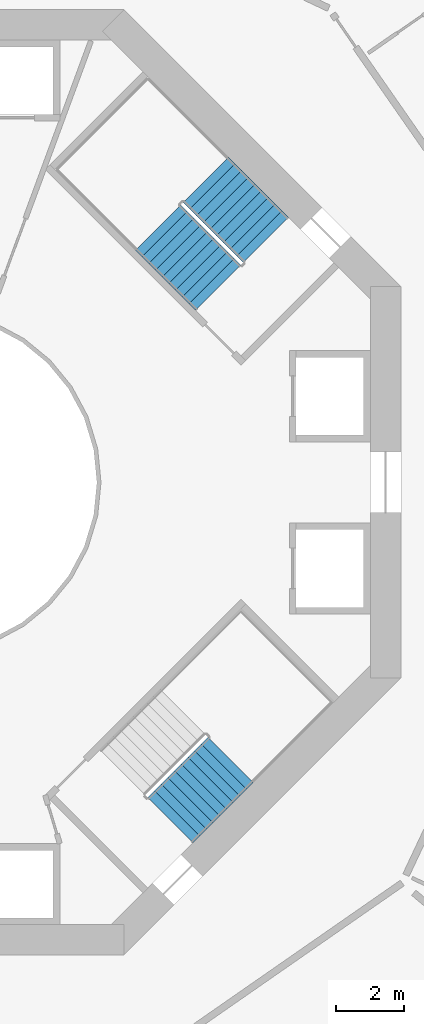
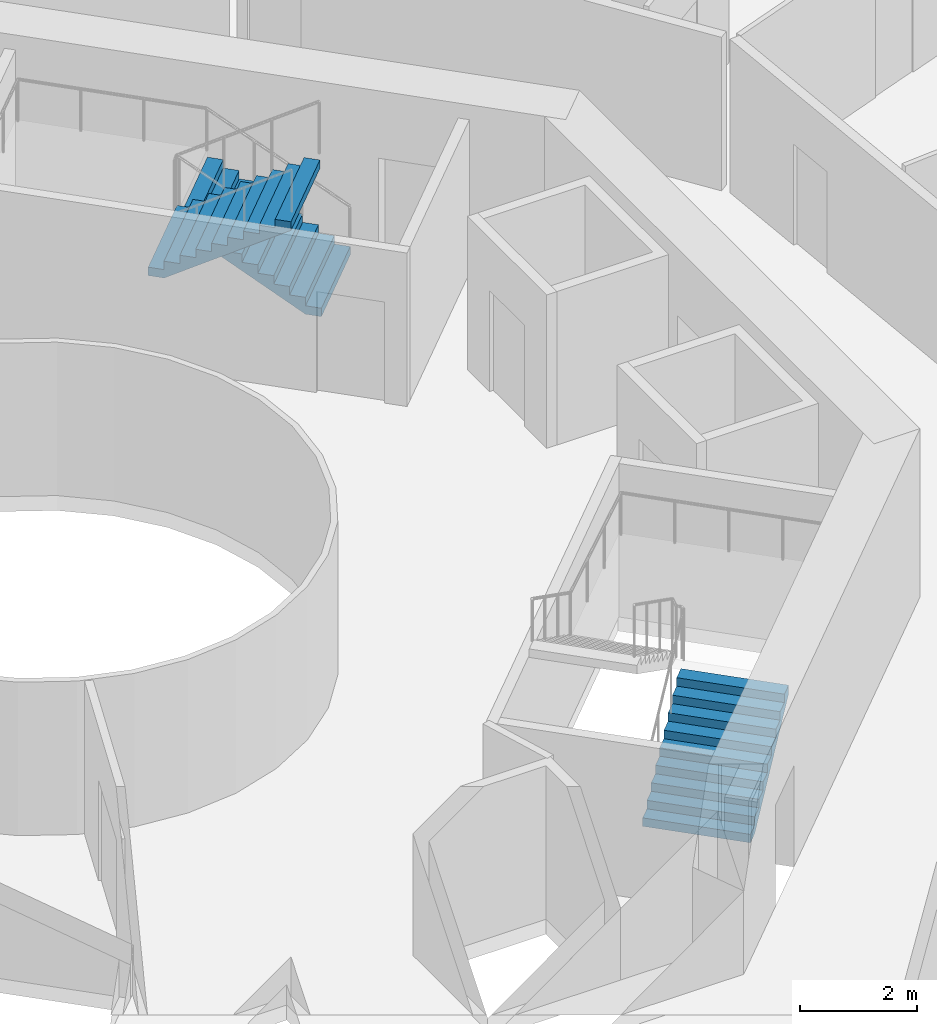
# One storey, part 25 of 26: 3 stair flights, 2 elements without a shape of their own.
"""IFC4 building model written with IfcOpenShell, lengths in metres."""

from ifc_helpers import new_model, si_unit, direction, frame, origin, place, context, subcontext, project, spatial, triangles, material, type_object, element, aggregate, save


model = new_model("IFC4")

# Units and contexts
model_context = context("Model", 3, precision=1e-05, world=origin(), true_north=direction((0.0, 1.0)))
body_context = subcontext(model_context, "Body", "Model", "MODEL_VIEW")
ifc_project = project(units=[si_unit("LENGTHUNIT", "METRE"), si_unit("AREAUNIT", "SQUARE_METRE"), si_unit("VOLUMEUNIT", "CUBIC_METRE"), si_unit("PLANEANGLEUNIT", "RADIAN"), si_unit("MASSUNIT", "GRAM", prefix="KILO")], contexts=[model_context])

# Site, building, storey
site_placement = place(None, origin())
site = spatial("IfcSite", under=ifc_project, at=site_placement, CompositionType="ELEMENT")
building_placement = place(site_placement, origin())
building = spatial("IfcBuilding", under=site, at=building_placement, Name="Verdalira Terraces Hotel", CompositionType="ELEMENT")
storey_placement = place(building_placement, frame((0.0, 0.0, 53.0)))
storey = spatial("IfcBuildingStorey", under=building, at=storey_placement, Name="L11", CompositionType="ELEMENT", Elevation=53.0)

# Stair, stair flights
ifc_material_1 = material(Name="Concrete C40", Category="concrete")
stair_type = type_object("IfcStairType", Name="Core stair 20 risers 1900 mm wide", PredefinedType="HALF_TURN_STAIR", material=ifc_material_1)
stair_1_placement = place(storey_placement, origin())
stair_1 = element("IfcStair", 1, at=stair_1_placement, inside=storey, type_object=stair_type, Name="L11 Exit stair ST1", PredefinedType="HALF_TURN_STAIR")
ifc_material_2 = material(Name="Concrete C40", Category="concrete")
stair_flight_type = type_object("IfcStairFlightType", Name="Core stair flight 20 risers 1900 mm wide", PredefinedType="STRAIGHT", material=ifc_material_2)
stair_flight_1_placement = place(storey_placement, frame((10.005615, 7.177246, 0.0), z_axis=(0.0, 0.0, 1.0), x_axis=(-0.707106781, 0.707106781, 0.0)))
stair_flight_1 = element("IfcStairFlight", 2, at=stair_flight_1_placement, type_object=stair_flight_type, Name="ST1 flight 1", NumberOfRisers=10, NumberOfTreads=9, PredefinedType="STRAIGHT", RiserHeight=0.175, TreadLength=0.28, context=body_context, shape_type="Tessellation", body=[
    triangles([(0.0, 0.949951, 0.0), (0.282715, 0.949951, 0.0), (2.52002, 0.949951, 1.398193), (0.0, -0.949951, 0.0), (0.282715, -0.949951, 0.0), (2.52002, -0.949951, 1.398193), (2.52002, 0.949951, 1.574951), (2.23999, 0.949951, 1.574951), (2.52002, -0.949951, 1.574951), (2.23999, -0.949951, 1.574951), (2.23999, 0.949951, 1.399902), (2.23999, -0.949951, 1.399902), (1.959961, 0.949951, 1.399902), (1.959961, -0.949951, 1.399902), (1.959961, 0.949951, 1.225098), (1.959961, -0.949951, 1.225098), (1.679932, 0.949951, 1.225098), (1.679932, 0.949951, 1.050049), (1.679932, -0.949951, 1.225098), (1.679932, -0.949951, 1.050049), (1.399902, 0.949951, 1.050049), (1.399902, 0.949951, 0.875), (1.399902, -0.949951, 1.050049), (1.399902, -0.949951, 0.875), (1.120117, 0.949951, 0.875), (1.120117, 0.949951, 0.699951), (1.120117, -0.949951, 0.875), (1.120117, -0.949951, 0.699951), (0.840088, 0.949951, 0.699951), (0.840088, 0.949951, 0.524902), (0.840088, -0.949951, 0.699951), (0.840088, -0.949951, 0.524902), (0.560059, 0.949951, 0.524902), (0.560059, 0.949951, 0.350098), (0.560059, -0.949951, 0.524902), (0.560059, -0.949951, 0.350098), (0.280029, 0.949951, 0.350098), (0.280029, 0.949951, 0.175049), (0.280029, -0.949951, 0.350098), (0.280029, -0.949951, 0.175049), (0.0, 0.949951, 0.175049), (0.0, -0.949951, 0.175049), (0.0, -0.890579, 0.0), (0.0, -0.890579, 0.175049), (0.0, -0.831207, 0.0), (0.0, -0.831207, 0.175049), (0.0, -0.771835, 0.0), (0.0, -0.771835, 0.175049), (0.0, -0.712463, 0.0), (0.0, -0.712463, 0.175049), (0.0, -0.653091, 0.0), (0.0, -0.653091, 0.175049), (0.0, -0.593719, 0.0), (0.0, -0.593719, 0.175049), (0.0, -0.534348, 0.0), (0.0, -0.534348, 0.175049), (0.0, -0.474976, 0.0), (0.0, -0.474976, 0.175049), (0.0, -0.415604, 0.0), (0.0, -0.415604, 0.175049), (0.0, -0.356232, 0.0), (0.0, -0.356232, 0.175049), (0.0, -0.29686, 0.0), (0.0, -0.29686, 0.175049), (0.0, -0.237488, 0.0), (0.0, -0.237488, 0.175049), (0.0, -0.178116, 0.0), (0.0, -0.178116, 0.175049), (0.0, -0.118744, 0.0), (0.0, -0.118744, 0.175049), (0.0, -0.059372, 0.0), (0.0, -0.059372, 0.175049), (0.0, 0.0, 0.0), (0.0, 0.0, 0.175049), (0.0, 0.059372, 0.0), (0.0, 0.059372, 0.175049), (0.0, 0.118744, 0.0), (0.0, 0.118744, 0.175049), (0.0, 0.178116, 0.0), (0.0, 0.178116, 0.175049), (0.0, 0.237488, 0.0), (0.0, 0.237488, 0.175049), (0.0, 0.29686, 0.0), (0.0, 0.29686, 0.175049), (0.0, 0.356232, 0.0), (0.0, 0.356232, 0.175049), (0.0, 0.415604, 0.0), (0.0, 0.415604, 0.175049), (0.0, 0.474976, 0.0), (0.0, 0.474976, 0.175049), (0.0, 0.534348, 0.0), (0.0, 0.534348, 0.175049), (0.0, 0.593719, 0.0), (0.0, 0.593719, 0.175049), (0.0, 0.653091, 0.0), (0.0, 0.653091, 0.175049), (0.0, 0.712463, 0.0), (0.0, 0.712463, 0.175049), (0.0, 0.771835, 0.0), (0.0, 0.771835, 0.175049), (0.0, 0.831207, 0.0), (0.0, 0.831207, 0.175049), (0.0, 0.890579, 0.0), (0.0, 0.890579, 0.175049), (2.52002, -0.890579, 1.574951), (2.52002, -0.831207, 1.574951), (2.52002, -0.771835, 1.574951), (2.52002, -0.712463, 1.574951), (2.52002, -0.653091, 1.574951), (2.52002, -0.593719, 1.574951), (2.52002, -0.534348, 1.574951), (2.52002, -0.474976, 1.574951), (2.52002, -0.415604, 1.574951), (2.52002, -0.356232, 1.574951), (2.52002, -0.29686, 1.574951), (2.52002, -0.237488, 1.574951), (2.52002, -0.178116, 1.574951), (2.52002, -0.118744, 1.574951), (2.52002, -0.059372, 1.574951), (2.52002, 0.0, 1.574951), (2.52002, 0.059372, 1.574951), (2.52002, 0.118744, 1.574951), (2.52002, 0.178116, 1.574951), (2.52002, 0.237488, 1.574951), (2.52002, 0.29686, 1.574951), (2.52002, 0.356232, 1.574951), (2.52002, 0.415604, 1.574951), (2.52002, 0.474976, 1.574951), (2.52002, 0.534348, 1.574951), (2.52002, 0.593719, 1.574951), (2.52002, 0.653091, 1.574951), (2.52002, 0.712463, 1.574951), (2.52002, 0.771835, 1.574951), (2.52002, 0.831207, 1.574951), (2.52002, 0.890579, 1.574951), (2.52002, -0.890579, 1.398193), (2.52002, -0.831207, 1.398193), (2.52002, -0.771835, 1.398193), (2.52002, -0.712463, 1.398193), (2.52002, -0.653091, 1.398193), (2.52002, -0.593719, 1.398193), (2.52002, -0.534348, 1.398193), (2.52002, -0.474976, 1.398193), (2.52002, -0.415604, 1.398193), (2.52002, -0.356232, 1.398193), (2.52002, -0.29686, 1.398193), (2.52002, -0.237488, 1.398193), (2.52002, -0.178116, 1.398193), (2.52002, -0.118744, 1.398193), (2.52002, -0.059372, 1.398193), (2.52002, 0.0, 1.398193), (2.52002, 0.059372, 1.398193), (2.52002, 0.118744, 1.398193), (2.52002, 0.178116, 1.398193), (2.52002, 0.237488, 1.398193), (2.52002, 0.29686, 1.398193), (2.52002, 0.356232, 1.398193), (2.52002, 0.415604, 1.398193), (2.52002, 0.474976, 1.398193), (2.52002, 0.534348, 1.398193), (2.52002, 0.593719, 1.398193), (2.52002, 0.653091, 1.398193), (2.52002, 0.712463, 1.398193), (2.52002, 0.771835, 1.398193), (2.52002, 0.831207, 1.398193), (2.52002, 0.890579, 1.398193)], [[1, 3, 2], [4, 5, 6], [3, 8, 7], [6, 9, 10], [3, 11, 8], [6, 10, 12], [3, 13, 11], [6, 12, 14], [3, 15, 13], [6, 14, 16], [15, 18, 17], [16, 19, 20], [3, 18, 15], [6, 16, 20], [18, 22, 21], [20, 23, 24], [3, 22, 18], [6, 20, 24], [22, 26, 25], [24, 27, 28], [3, 26, 22], [6, 24, 28], [26, 30, 29], [28, 31, 32], [3, 30, 26], [6, 28, 32], [1, 30, 3], [4, 6, 32], [30, 34, 33], [32, 35, 36], [34, 38, 37], [36, 39, 40], [30, 38, 34], [32, 36, 40], [1, 38, 30], [4, 32, 40], [38, 1, 41], [40, 42, 4], [4, 44, 43], [4, 42, 44], [43, 46, 45], [43, 44, 46], [45, 48, 47], [45, 46, 48], [47, 50, 49], [47, 48, 50], [49, 52, 51], [49, 50, 52], [51, 54, 53], [51, 52, 54], [53, 56, 55], [53, 54, 56], [55, 58, 57], [55, 56, 58], [57, 60, 59], [57, 58, 60], [59, 62, 61], [59, 60, 62], [61, 64, 63], [61, 62, 64], [63, 66, 65], [63, 64, 66], [65, 68, 67], [65, 66, 68], [67, 70, 69], [67, 68, 70], [69, 72, 71], [69, 70, 72], [71, 74, 73], [71, 72, 74], [73, 76, 75], [73, 74, 76], [75, 78, 77], [75, 76, 78], [77, 80, 79], [77, 78, 80], [79, 82, 81], [79, 80, 82], [81, 84, 83], [81, 82, 84], [83, 86, 85], [83, 84, 86], [85, 88, 87], [85, 86, 88], [87, 90, 89], [87, 88, 90], [89, 92, 91], [89, 90, 92], [91, 94, 93], [91, 92, 94], [93, 96, 95], [93, 94, 96], [95, 98, 97], [95, 96, 98], [97, 100, 99], [97, 98, 100], [99, 102, 101], [99, 100, 102], [101, 104, 103], [101, 102, 104], [103, 41, 1], [103, 104, 41], [42, 40, 44], [44, 40, 46], [46, 40, 48], [48, 40, 50], [50, 40, 52], [52, 40, 54], [54, 40, 56], [56, 40, 58], [58, 40, 60], [60, 40, 62], [62, 40, 64], [64, 40, 66], [66, 40, 68], [68, 40, 70], [70, 40, 72], [72, 40, 74], [74, 40, 76], [76, 40, 78], [78, 40, 80], [80, 40, 82], [82, 40, 84], [84, 40, 86], [86, 40, 88], [88, 40, 90], [90, 40, 92], [92, 40, 94], [94, 40, 96], [96, 40, 98], [98, 40, 100], [100, 40, 102], [102, 40, 104], [104, 40, 41], [41, 40, 38], [40, 37, 38], [40, 39, 37], [39, 34, 37], [39, 36, 34], [36, 33, 34], [36, 35, 33], [35, 30, 33], [35, 32, 30], [32, 29, 30], [32, 31, 29], [31, 26, 29], [31, 28, 26], [28, 25, 26], [28, 27, 25], [27, 22, 25], [27, 24, 22], [24, 21, 22], [24, 23, 21], [23, 18, 21], [23, 20, 18], [20, 17, 18], [20, 19, 17], [19, 15, 17], [19, 16, 15], [16, 13, 15], [16, 14, 13], [14, 11, 13], [14, 12, 11], [12, 8, 11], [12, 10, 8], [9, 105, 10], [105, 106, 10], [106, 107, 10], [107, 108, 10], [108, 109, 10], [109, 110, 10], [110, 111, 10], [111, 112, 10], [112, 113, 10], [113, 114, 10], [114, 115, 10], [115, 116, 10], [116, 117, 10], [117, 118, 10], [118, 119, 10], [119, 120, 10], [120, 121, 10], [121, 122, 10], [122, 123, 10], [123, 124, 10], [124, 125, 10], [125, 126, 10], [126, 127, 10], [127, 128, 10], [128, 129, 10], [129, 130, 10], [130, 131, 10], [131, 132, 10], [132, 133, 10], [133, 134, 10], [134, 135, 10], [135, 7, 10], [7, 8, 10], [9, 136, 105], [9, 6, 136], [105, 137, 106], [105, 136, 137], [106, 138, 107], [106, 137, 138], [107, 139, 108], [107, 138, 139], [108, 140, 109], [108, 139, 140], [109, 141, 110], [109, 140, 141], [110, 142, 111], [110, 141, 142], [111, 143, 112], [111, 142, 143], [112, 144, 113], [112, 143, 144], [113, 145, 114], [113, 144, 145], [114, 146, 115], [114, 145, 146], [115, 147, 116], [115, 146, 147], [116, 148, 117], [116, 147, 148], [117, 149, 118], [117, 148, 149], [118, 150, 119], [118, 149, 150], [119, 151, 120], [119, 150, 151], [120, 152, 121], [120, 151, 152], [121, 153, 122], [121, 152, 153], [122, 154, 123], [122, 153, 154], [123, 155, 124], [123, 154, 155], [124, 156, 125], [124, 155, 156], [125, 157, 126], [125, 156, 157], [126, 158, 127], [126, 157, 158], [127, 159, 128], [127, 158, 159], [128, 160, 129], [128, 159, 160], [129, 161, 130], [129, 160, 161], [130, 162, 131], [130, 161, 162], [131, 163, 132], [131, 162, 163], [132, 164, 133], [132, 163, 164], [133, 165, 134], [133, 164, 165], [134, 166, 135], [134, 165, 166], [135, 3, 7], [135, 166, 3], [6, 5, 136], [136, 5, 137], [137, 5, 138], [138, 5, 139], [139, 5, 140], [140, 5, 141], [141, 5, 142], [142, 5, 143], [143, 5, 144], [144, 5, 145], [145, 5, 146], [146, 5, 147], [147, 5, 148], [148, 5, 149], [149, 5, 150], [150, 5, 151], [151, 5, 152], [152, 5, 153], [153, 5, 154], [154, 5, 155], [155, 5, 156], [156, 5, 157], [157, 5, 158], [158, 5, 159], [159, 5, 160], [160, 5, 161], [161, 5, 162], [162, 5, 163], [163, 5, 164], [164, 5, 165], [165, 5, 166], [166, 5, 3], [3, 5, 2], [4, 43, 5], [43, 45, 5], [45, 47, 5], [47, 49, 5], [49, 51, 5], [51, 53, 5], [53, 55, 5], [55, 57, 5], [57, 59, 5], [59, 61, 5], [61, 63, 5], [63, 65, 5], [65, 67, 5], [67, 69, 5], [69, 71, 5], [71, 73, 5], [73, 75, 5], [75, 77, 5], [77, 79, 5], [79, 81, 5], [81, 83, 5], [83, 85, 5], [85, 87, 5], [87, 89, 5], [89, 91, 5], [91, 93, 5], [93, 95, 5], [95, 97, 5], [97, 99, 5], [99, 101, 5], [101, 103, 5], [103, 1, 5], [1, 2, 5]], closed=True),
])
stair_flight_2_placement = place(storey_placement, frame((6.809326, 7.544922, 1.75), z_axis=(0.0, 0.0, 1.0), x_axis=(0.707106781, -0.707106781, 0.0)))
stair_flight_2 = element("IfcStairFlight", 3, at=stair_flight_2_placement, type_object=stair_flight_type, Name="ST1 flight 2", NumberOfRisers=10, NumberOfTreads=9, PredefinedType="STRAIGHT", RiserHeight=0.175, TreadLength=0.28, context=body_context, shape_type="Tessellation", body=[
    triangles([(0.0, 0.949951, 0.0), (0.282715, 0.949951, 0.0), (2.52002, 0.949951, 1.398193), (0.0, -0.949951, 0.0), (0.282715, -0.949951, 0.0), (2.52002, -0.949951, 1.398193), (2.52002, 0.949951, 1.574951), (2.23999, 0.949951, 1.574951), (2.52002, -0.949951, 1.574951), (2.23999, -0.949951, 1.574951), (2.23999, 0.949951, 1.399902), (2.23999, -0.949951, 1.399902), (1.959961, 0.949951, 1.399902), (1.959961, -0.949951, 1.399902), (1.959961, 0.949951, 1.225098), (1.959961, -0.949951, 1.225098), (1.679932, 0.949951, 1.225098), (1.679932, 0.949951, 1.050049), (1.679932, -0.949951, 1.225098), (1.679932, -0.949951, 1.050049), (1.399902, 0.949951, 1.050049), (1.399902, 0.949951, 0.875), (1.399902, -0.949951, 1.050049), (1.399902, -0.949951, 0.875), (1.120117, 0.949951, 0.875), (1.120117, 0.949951, 0.699951), (1.120117, -0.949951, 0.875), (1.120117, -0.949951, 0.699951), (0.840088, 0.949951, 0.699951), (0.840088, 0.949951, 0.524902), (0.840088, -0.949951, 0.699951), (0.840088, -0.949951, 0.524902), (0.560059, 0.949951, 0.524902), (0.560059, 0.949951, 0.350098), (0.560059, -0.949951, 0.524902), (0.560059, -0.949951, 0.350098), (0.280029, 0.949951, 0.350098), (0.280029, 0.949951, 0.175049), (0.280029, -0.949951, 0.350098), (0.280029, -0.949951, 0.175049), (0.0, 0.949951, 0.175049), (0.0, -0.949951, 0.175049), (0.0, -0.890579, 0.0), (0.0, -0.890579, 0.175049), (0.0, -0.831207, 0.0), (0.0, -0.831207, 0.175049), (0.0, -0.771835, 0.0), (0.0, -0.771835, 0.175049), (0.0, -0.712463, 0.0), (0.0, -0.712463, 0.175049), (0.0, -0.653091, 0.0), (0.0, -0.653091, 0.175049), (0.0, -0.593719, 0.0), (0.0, -0.593719, 0.175049), (0.0, -0.534348, 0.0), (0.0, -0.534348, 0.175049), (0.0, -0.474976, 0.0), (0.0, -0.474976, 0.175049), (0.0, -0.415604, 0.0), (0.0, -0.415604, 0.175049), (0.0, -0.356232, 0.0), (0.0, -0.356232, 0.175049), (0.0, -0.29686, 0.0), (0.0, -0.29686, 0.175049), (0.0, -0.237488, 0.0), (0.0, -0.237488, 0.175049), (0.0, -0.178116, 0.0), (0.0, -0.178116, 0.175049), (0.0, -0.118744, 0.0), (0.0, -0.118744, 0.175049), (0.0, -0.059372, 0.0), (0.0, -0.059372, 0.175049), (0.0, 0.0, 0.0), (0.0, 0.0, 0.175049), (0.0, 0.059372, 0.0), (0.0, 0.059372, 0.175049), (0.0, 0.118744, 0.0), (0.0, 0.118744, 0.175049), (0.0, 0.178116, 0.0), (0.0, 0.178116, 0.175049), (0.0, 0.237488, 0.0), (0.0, 0.237488, 0.175049), (0.0, 0.29686, 0.0), (0.0, 0.29686, 0.175049), (0.0, 0.356232, 0.0), (0.0, 0.356232, 0.175049), (0.0, 0.415604, 0.0), (0.0, 0.415604, 0.175049), (0.0, 0.474976, 0.0), (0.0, 0.474976, 0.175049), (0.0, 0.534348, 0.0), (0.0, 0.534348, 0.175049), (0.0, 0.593719, 0.0), (0.0, 0.593719, 0.175049), (0.0, 0.653091, 0.0), (0.0, 0.653091, 0.175049), (0.0, 0.712463, 0.0), (0.0, 0.712463, 0.175049), (0.0, 0.771835, 0.0), (0.0, 0.771835, 0.175049), (0.0, 0.831207, 0.0), (0.0, 0.831207, 0.175049), (0.0, 0.890579, 0.0), (0.0, 0.890579, 0.175049), (2.52002, -0.890579, 1.574951), (2.52002, -0.831207, 1.574951), (2.52002, -0.771835, 1.574951), (2.52002, -0.712463, 1.574951), (2.52002, -0.653091, 1.574951), (2.52002, -0.593719, 1.574951), (2.52002, -0.534348, 1.574951), (2.52002, -0.474976, 1.574951), (2.52002, -0.415604, 1.574951), (2.52002, -0.356232, 1.574951), (2.52002, -0.29686, 1.574951), (2.52002, -0.237488, 1.574951), (2.52002, -0.178116, 1.574951), (2.52002, -0.118744, 1.574951), (2.52002, -0.059372, 1.574951), (2.52002, 0.0, 1.574951), (2.52002, 0.059372, 1.574951), (2.52002, 0.118744, 1.574951), (2.52002, 0.178116, 1.574951), (2.52002, 0.237488, 1.574951), (2.52002, 0.29686, 1.574951), (2.52002, 0.356232, 1.574951), (2.52002, 0.415604, 1.574951), (2.52002, 0.474976, 1.574951), (2.52002, 0.534348, 1.574951), (2.52002, 0.593719, 1.574951), (2.52002, 0.653091, 1.574951), (2.52002, 0.712463, 1.574951), (2.52002, 0.771835, 1.574951), (2.52002, 0.831207, 1.574951), (2.52002, 0.890579, 1.574951), (2.52002, -0.890579, 1.398193), (2.52002, -0.831207, 1.398193), (2.52002, -0.771835, 1.398193), (2.52002, -0.712463, 1.398193), (2.52002, -0.653091, 1.398193), (2.52002, -0.593719, 1.398193), (2.52002, -0.534348, 1.398193), (2.52002, -0.474976, 1.398193), (2.52002, -0.415604, 1.398193), (2.52002, -0.356232, 1.398193), (2.52002, -0.29686, 1.398193), (2.52002, -0.237488, 1.398193), (2.52002, -0.178116, 1.398193), (2.52002, -0.118744, 1.398193), (2.52002, -0.059372, 1.398193), (2.52002, 0.0, 1.398193), (2.52002, 0.059372, 1.398193), (2.52002, 0.118744, 1.398193), (2.52002, 0.178116, 1.398193), (2.52002, 0.237488, 1.398193), (2.52002, 0.29686, 1.398193), (2.52002, 0.356232, 1.398193), (2.52002, 0.415604, 1.398193), (2.52002, 0.474976, 1.398193), (2.52002, 0.534348, 1.398193), (2.52002, 0.593719, 1.398193), (2.52002, 0.653091, 1.398193), (2.52002, 0.712463, 1.398193), (2.52002, 0.771835, 1.398193), (2.52002, 0.831207, 1.398193), (2.52002, 0.890579, 1.398193)], [[1, 3, 2], [4, 5, 6], [3, 8, 7], [6, 9, 10], [3, 11, 8], [6, 10, 12], [3, 13, 11], [6, 12, 14], [3, 15, 13], [6, 14, 16], [15, 18, 17], [16, 19, 20], [3, 18, 15], [6, 16, 20], [18, 22, 21], [20, 23, 24], [3, 22, 18], [6, 20, 24], [22, 26, 25], [24, 27, 28], [3, 26, 22], [6, 24, 28], [26, 30, 29], [28, 31, 32], [3, 30, 26], [6, 28, 32], [1, 30, 3], [4, 6, 32], [30, 34, 33], [32, 35, 36], [34, 38, 37], [36, 39, 40], [30, 38, 34], [32, 36, 40], [1, 38, 30], [4, 32, 40], [38, 1, 41], [40, 42, 4], [4, 44, 43], [4, 42, 44], [43, 46, 45], [43, 44, 46], [45, 48, 47], [45, 46, 48], [47, 50, 49], [47, 48, 50], [49, 52, 51], [49, 50, 52], [51, 54, 53], [51, 52, 54], [53, 56, 55], [53, 54, 56], [55, 58, 57], [55, 56, 58], [57, 60, 59], [57, 58, 60], [59, 62, 61], [59, 60, 62], [61, 64, 63], [61, 62, 64], [63, 66, 65], [63, 64, 66], [65, 68, 67], [65, 66, 68], [67, 70, 69], [67, 68, 70], [69, 72, 71], [69, 70, 72], [71, 74, 73], [71, 72, 74], [73, 76, 75], [73, 74, 76], [75, 78, 77], [75, 76, 78], [77, 80, 79], [77, 78, 80], [79, 82, 81], [79, 80, 82], [81, 84, 83], [81, 82, 84], [83, 86, 85], [83, 84, 86], [85, 88, 87], [85, 86, 88], [87, 90, 89], [87, 88, 90], [89, 92, 91], [89, 90, 92], [91, 94, 93], [91, 92, 94], [93, 96, 95], [93, 94, 96], [95, 98, 97], [95, 96, 98], [97, 100, 99], [97, 98, 100], [99, 102, 101], [99, 100, 102], [101, 104, 103], [101, 102, 104], [103, 41, 1], [103, 104, 41], [42, 40, 44], [44, 40, 46], [46, 40, 48], [48, 40, 50], [50, 40, 52], [52, 40, 54], [54, 40, 56], [56, 40, 58], [58, 40, 60], [60, 40, 62], [62, 40, 64], [64, 40, 66], [66, 40, 68], [68, 40, 70], [70, 40, 72], [72, 40, 74], [74, 40, 76], [76, 40, 78], [78, 40, 80], [80, 40, 82], [82, 40, 84], [84, 40, 86], [86, 40, 88], [88, 40, 90], [90, 40, 92], [92, 40, 94], [94, 40, 96], [96, 40, 98], [98, 40, 100], [100, 40, 102], [102, 40, 104], [104, 40, 41], [41, 40, 38], [40, 37, 38], [40, 39, 37], [39, 34, 37], [39, 36, 34], [36, 33, 34], [36, 35, 33], [35, 30, 33], [35, 32, 30], [32, 29, 30], [32, 31, 29], [31, 26, 29], [31, 28, 26], [28, 25, 26], [28, 27, 25], [27, 22, 25], [27, 24, 22], [24, 21, 22], [24, 23, 21], [23, 18, 21], [23, 20, 18], [20, 17, 18], [20, 19, 17], [19, 15, 17], [19, 16, 15], [16, 13, 15], [16, 14, 13], [14, 11, 13], [14, 12, 11], [12, 8, 11], [12, 10, 8], [9, 105, 10], [105, 106, 10], [106, 107, 10], [107, 108, 10], [108, 109, 10], [109, 110, 10], [110, 111, 10], [111, 112, 10], [112, 113, 10], [113, 114, 10], [114, 115, 10], [115, 116, 10], [116, 117, 10], [117, 118, 10], [118, 119, 10], [119, 120, 10], [120, 121, 10], [121, 122, 10], [122, 123, 10], [123, 124, 10], [124, 125, 10], [125, 126, 10], [126, 127, 10], [127, 128, 10], [128, 129, 10], [129, 130, 10], [130, 131, 10], [131, 132, 10], [132, 133, 10], [133, 134, 10], [134, 135, 10], [135, 7, 10], [7, 8, 10], [9, 136, 105], [9, 6, 136], [105, 137, 106], [105, 136, 137], [106, 138, 107], [106, 137, 138], [107, 139, 108], [107, 138, 139], [108, 140, 109], [108, 139, 140], [109, 141, 110], [109, 140, 141], [110, 142, 111], [110, 141, 142], [111, 143, 112], [111, 142, 143], [112, 144, 113], [112, 143, 144], [113, 145, 114], [113, 144, 145], [114, 146, 115], [114, 145, 146], [115, 147, 116], [115, 146, 147], [116, 148, 117], [116, 147, 148], [117, 149, 118], [117, 148, 149], [118, 150, 119], [118, 149, 150], [119, 151, 120], [119, 150, 151], [120, 152, 121], [120, 151, 152], [121, 153, 122], [121, 152, 153], [122, 154, 123], [122, 153, 154], [123, 155, 124], [123, 154, 155], [124, 156, 125], [124, 155, 156], [125, 157, 126], [125, 156, 157], [126, 158, 127], [126, 157, 158], [127, 159, 128], [127, 158, 159], [128, 160, 129], [128, 159, 160], [129, 161, 130], [129, 160, 161], [130, 162, 131], [130, 161, 162], [131, 163, 132], [131, 162, 163], [132, 164, 133], [132, 163, 164], [133, 165, 134], [133, 164, 165], [134, 166, 135], [134, 165, 166], [135, 3, 7], [135, 166, 3], [6, 5, 136], [136, 5, 137], [137, 5, 138], [138, 5, 139], [139, 5, 140], [140, 5, 141], [141, 5, 142], [142, 5, 143], [143, 5, 144], [144, 5, 145], [145, 5, 146], [146, 5, 147], [147, 5, 148], [148, 5, 149], [149, 5, 150], [150, 5, 151], [151, 5, 152], [152, 5, 153], [153, 5, 154], [154, 5, 155], [155, 5, 156], [156, 5, 157], [157, 5, 158], [158, 5, 159], [159, 5, 160], [160, 5, 161], [161, 5, 162], [162, 5, 163], [163, 5, 164], [164, 5, 165], [165, 5, 166], [166, 5, 3], [3, 5, 2], [4, 43, 5], [43, 45, 5], [45, 47, 5], [47, 49, 5], [49, 51, 5], [51, 53, 5], [53, 55, 5], [55, 57, 5], [57, 59, 5], [59, 61, 5], [61, 63, 5], [63, 65, 5], [65, 67, 5], [67, 69, 5], [69, 71, 5], [71, 73, 5], [73, 75, 5], [75, 77, 5], [77, 79, 5], [79, 81, 5], [81, 83, 5], [83, 85, 5], [85, 87, 5], [87, 89, 5], [89, 91, 5], [91, 93, 5], [93, 95, 5], [95, 97, 5], [97, 99, 5], [99, 101, 5], [101, 103, 5], [103, 1, 5], [1, 2, 5]], closed=True),
])
aggregate(stair_1, [stair_flight_1, stair_flight_2])

# Stair, stair flight
stair_2_placement = place(storey_placement, origin())
stair_2 = element("IfcStair", 4, at=stair_2_placement, inside=storey, type_object=stair_type, Name="L11 Exit stair ST3", PredefinedType="HALF_TURN_STAIR")
stair_flight_3_placement = place(storey_placement, frame((7.177246, -10.005615, 0.0), z_axis=(0.0, 0.0, 1.0), x_axis=(0.707106781, 0.707106781, 0.0)))
stair_flight_3 = element("IfcStairFlight", 5, at=stair_flight_3_placement, type_object=stair_flight_type, Name="ST3 flight 1", NumberOfRisers=10, NumberOfTreads=9, PredefinedType="STRAIGHT", RiserHeight=0.175, TreadLength=0.28, context=body_context, shape_type="Tessellation", body=[
    triangles([(0.0, 0.949951, 0.0), (0.282715, 0.949951, 0.0), (2.52002, 0.949951, 1.398193), (0.0, -0.949951, 0.0), (0.282715, -0.949951, 0.0), (2.52002, -0.949951, 1.398193), (2.52002, 0.949951, 1.574951), (2.23999, 0.949951, 1.574951), (2.52002, -0.949951, 1.574951), (2.23999, -0.949951, 1.574951), (2.23999, 0.949951, 1.399902), (2.23999, -0.949951, 1.399902), (1.959961, 0.949951, 1.399902), (1.959961, -0.949951, 1.399902), (1.959961, 0.949951, 1.225098), (1.959961, -0.949951, 1.225098), (1.679932, 0.949951, 1.225098), (1.679932, 0.949951, 1.050049), (1.679932, -0.949951, 1.225098), (1.679932, -0.949951, 1.050049), (1.399902, 0.949951, 1.050049), (1.399902, 0.949951, 0.875), (1.399902, -0.949951, 1.050049), (1.399902, -0.949951, 0.875), (1.120117, 0.949951, 0.875), (1.120117, 0.949951, 0.699951), (1.120117, -0.949951, 0.875), (1.120117, -0.949951, 0.699951), (0.840088, 0.949951, 0.699951), (0.840088, 0.949951, 0.524902), (0.840088, -0.949951, 0.699951), (0.840088, -0.949951, 0.524902), (0.560059, 0.949951, 0.524902), (0.560059, 0.949951, 0.350098), (0.560059, -0.949951, 0.524902), (0.560059, -0.949951, 0.350098), (0.280029, 0.949951, 0.350098), (0.280029, 0.949951, 0.175049), (0.280029, -0.949951, 0.350098), (0.280029, -0.949951, 0.175049), (0.0, 0.949951, 0.175049), (0.0, -0.949951, 0.175049), (0.0, -0.890579, 0.0), (0.0, -0.890579, 0.175049), (0.0, -0.831207, 0.0), (0.0, -0.831207, 0.175049), (0.0, -0.771835, 0.0), (0.0, -0.771835, 0.175049), (0.0, -0.712463, 0.0), (0.0, -0.712463, 0.175049), (0.0, -0.653091, 0.0), (0.0, -0.653091, 0.175049), (0.0, -0.593719, 0.0), (0.0, -0.593719, 0.175049), (0.0, -0.534348, 0.0), (0.0, -0.534348, 0.175049), (0.0, -0.474976, 0.0), (0.0, -0.474976, 0.175049), (0.0, -0.415604, 0.0), (0.0, -0.415604, 0.175049), (0.0, -0.356232, 0.0), (0.0, -0.356232, 0.175049), (0.0, -0.29686, 0.0), (0.0, -0.29686, 0.175049), (0.0, -0.237488, 0.0), (0.0, -0.237488, 0.175049), (0.0, -0.178116, 0.0), (0.0, -0.178116, 0.175049), (0.0, -0.118744, 0.0), (0.0, -0.118744, 0.175049), (0.0, -0.059372, 0.0), (0.0, -0.059372, 0.175049), (0.0, 0.0, 0.0), (0.0, 0.0, 0.175049), (0.0, 0.059372, 0.0), (0.0, 0.059372, 0.175049), (0.0, 0.118744, 0.0), (0.0, 0.118744, 0.175049), (0.0, 0.178116, 0.0), (0.0, 0.178116, 0.175049), (0.0, 0.237488, 0.0), (0.0, 0.237488, 0.175049), (0.0, 0.29686, 0.0), (0.0, 0.29686, 0.175049), (0.0, 0.356232, 0.0), (0.0, 0.356232, 0.175049), (0.0, 0.415604, 0.0), (0.0, 0.415604, 0.175049), (0.0, 0.474976, 0.0), (0.0, 0.474976, 0.175049), (0.0, 0.534348, 0.0), (0.0, 0.534348, 0.175049), (0.0, 0.593719, 0.0), (0.0, 0.593719, 0.175049), (0.0, 0.653091, 0.0), (0.0, 0.653091, 0.175049), (0.0, 0.712463, 0.0), (0.0, 0.712463, 0.175049), (0.0, 0.771835, 0.0), (0.0, 0.771835, 0.175049), (0.0, 0.831207, 0.0), (0.0, 0.831207, 0.175049), (0.0, 0.890579, 0.0), (0.0, 0.890579, 0.175049), (2.52002, -0.890579, 1.574951), (2.52002, -0.831207, 1.574951), (2.52002, -0.771835, 1.574951), (2.52002, -0.712463, 1.574951), (2.52002, -0.653091, 1.574951), (2.52002, -0.593719, 1.574951), (2.52002, -0.534348, 1.574951), (2.52002, -0.474976, 1.574951), (2.52002, -0.415604, 1.574951), (2.52002, -0.356232, 1.574951), (2.52002, -0.29686, 1.574951), (2.52002, -0.237488, 1.574951), (2.52002, -0.178116, 1.574951), (2.52002, -0.118744, 1.574951), (2.52002, -0.059372, 1.574951), (2.52002, 0.0, 1.574951), (2.52002, 0.059372, 1.574951), (2.52002, 0.118744, 1.574951), (2.52002, 0.178116, 1.574951), (2.52002, 0.237488, 1.574951), (2.52002, 0.29686, 1.574951), (2.52002, 0.356232, 1.574951), (2.52002, 0.415604, 1.574951), (2.52002, 0.474976, 1.574951), (2.52002, 0.534348, 1.574951), (2.52002, 0.593719, 1.574951), (2.52002, 0.653091, 1.574951), (2.52002, 0.712463, 1.574951), (2.52002, 0.771835, 1.574951), (2.52002, 0.831207, 1.574951), (2.52002, 0.890579, 1.574951), (2.52002, -0.890579, 1.398193), (2.52002, -0.831207, 1.398193), (2.52002, -0.771835, 1.398193), (2.52002, -0.712463, 1.398193), (2.52002, -0.653091, 1.398193), (2.52002, -0.593719, 1.398193), (2.52002, -0.534348, 1.398193), (2.52002, -0.474976, 1.398193), (2.52002, -0.415604, 1.398193), (2.52002, -0.356232, 1.398193), (2.52002, -0.29686, 1.398193), (2.52002, -0.237488, 1.398193), (2.52002, -0.178116, 1.398193), (2.52002, -0.118744, 1.398193), (2.52002, -0.059372, 1.398193), (2.52002, 0.0, 1.398193), (2.52002, 0.059372, 1.398193), (2.52002, 0.118744, 1.398193), (2.52002, 0.178116, 1.398193), (2.52002, 0.237488, 1.398193), (2.52002, 0.29686, 1.398193), (2.52002, 0.356232, 1.398193), (2.52002, 0.415604, 1.398193), (2.52002, 0.474976, 1.398193), (2.52002, 0.534348, 1.398193), (2.52002, 0.593719, 1.398193), (2.52002, 0.653091, 1.398193), (2.52002, 0.712463, 1.398193), (2.52002, 0.771835, 1.398193), (2.52002, 0.831207, 1.398193), (2.52002, 0.890579, 1.398193)], [[1, 3, 2], [4, 5, 6], [3, 8, 7], [6, 9, 10], [3, 11, 8], [6, 10, 12], [3, 13, 11], [6, 12, 14], [3, 15, 13], [6, 14, 16], [15, 18, 17], [16, 19, 20], [3, 18, 15], [6, 16, 20], [18, 22, 21], [20, 23, 24], [3, 22, 18], [6, 20, 24], [22, 26, 25], [24, 27, 28], [3, 26, 22], [6, 24, 28], [26, 30, 29], [28, 31, 32], [3, 30, 26], [6, 28, 32], [1, 30, 3], [4, 6, 32], [30, 34, 33], [32, 35, 36], [34, 38, 37], [36, 39, 40], [30, 38, 34], [32, 36, 40], [1, 38, 30], [4, 32, 40], [38, 1, 41], [40, 42, 4], [4, 44, 43], [4, 42, 44], [43, 46, 45], [43, 44, 46], [45, 48, 47], [45, 46, 48], [47, 50, 49], [47, 48, 50], [49, 52, 51], [49, 50, 52], [51, 54, 53], [51, 52, 54], [53, 56, 55], [53, 54, 56], [55, 58, 57], [55, 56, 58], [57, 60, 59], [57, 58, 60], [59, 62, 61], [59, 60, 62], [61, 64, 63], [61, 62, 64], [63, 66, 65], [63, 64, 66], [65, 68, 67], [65, 66, 68], [67, 70, 69], [67, 68, 70], [69, 72, 71], [69, 70, 72], [71, 74, 73], [71, 72, 74], [73, 76, 75], [73, 74, 76], [75, 78, 77], [75, 76, 78], [77, 80, 79], [77, 78, 80], [79, 82, 81], [79, 80, 82], [81, 84, 83], [81, 82, 84], [83, 86, 85], [83, 84, 86], [85, 88, 87], [85, 86, 88], [87, 90, 89], [87, 88, 90], [89, 92, 91], [89, 90, 92], [91, 94, 93], [91, 92, 94], [93, 96, 95], [93, 94, 96], [95, 98, 97], [95, 96, 98], [97, 100, 99], [97, 98, 100], [99, 102, 101], [99, 100, 102], [101, 104, 103], [101, 102, 104], [103, 41, 1], [103, 104, 41], [42, 40, 44], [44, 40, 46], [46, 40, 48], [48, 40, 50], [50, 40, 52], [52, 40, 54], [54, 40, 56], [56, 40, 58], [58, 40, 60], [60, 40, 62], [62, 40, 64], [64, 40, 66], [66, 40, 68], [68, 40, 70], [70, 40, 72], [72, 40, 74], [74, 40, 76], [76, 40, 78], [78, 40, 80], [80, 40, 82], [82, 40, 84], [84, 40, 86], [86, 40, 88], [88, 40, 90], [90, 40, 92], [92, 40, 94], [94, 40, 96], [96, 40, 98], [98, 40, 100], [100, 40, 102], [102, 40, 104], [104, 40, 41], [41, 40, 38], [40, 37, 38], [40, 39, 37], [39, 34, 37], [39, 36, 34], [36, 33, 34], [36, 35, 33], [35, 30, 33], [35, 32, 30], [32, 29, 30], [32, 31, 29], [31, 26, 29], [31, 28, 26], [28, 25, 26], [28, 27, 25], [27, 22, 25], [27, 24, 22], [24, 21, 22], [24, 23, 21], [23, 18, 21], [23, 20, 18], [20, 17, 18], [20, 19, 17], [19, 15, 17], [19, 16, 15], [16, 13, 15], [16, 14, 13], [14, 11, 13], [14, 12, 11], [12, 8, 11], [12, 10, 8], [9, 105, 10], [105, 106, 10], [106, 107, 10], [107, 108, 10], [108, 109, 10], [109, 110, 10], [110, 111, 10], [111, 112, 10], [112, 113, 10], [113, 114, 10], [114, 115, 10], [115, 116, 10], [116, 117, 10], [117, 118, 10], [118, 119, 10], [119, 120, 10], [120, 121, 10], [121, 122, 10], [122, 123, 10], [123, 124, 10], [124, 125, 10], [125, 126, 10], [126, 127, 10], [127, 128, 10], [128, 129, 10], [129, 130, 10], [130, 131, 10], [131, 132, 10], [132, 133, 10], [133, 134, 10], [134, 135, 10], [135, 7, 10], [7, 8, 10], [9, 136, 105], [9, 6, 136], [105, 137, 106], [105, 136, 137], [106, 138, 107], [106, 137, 138], [107, 139, 108], [107, 138, 139], [108, 140, 109], [108, 139, 140], [109, 141, 110], [109, 140, 141], [110, 142, 111], [110, 141, 142], [111, 143, 112], [111, 142, 143], [112, 144, 113], [112, 143, 144], [113, 145, 114], [113, 144, 145], [114, 146, 115], [114, 145, 146], [115, 147, 116], [115, 146, 147], [116, 148, 117], [116, 147, 148], [117, 149, 118], [117, 148, 149], [118, 150, 119], [118, 149, 150], [119, 151, 120], [119, 150, 151], [120, 152, 121], [120, 151, 152], [121, 153, 122], [121, 152, 153], [122, 154, 123], [122, 153, 154], [123, 155, 124], [123, 154, 155], [124, 156, 125], [124, 155, 156], [125, 157, 126], [125, 156, 157], [126, 158, 127], [126, 157, 158], [127, 159, 128], [127, 158, 159], [128, 160, 129], [128, 159, 160], [129, 161, 130], [129, 160, 161], [130, 162, 131], [130, 161, 162], [131, 163, 132], [131, 162, 163], [132, 164, 133], [132, 163, 164], [133, 165, 134], [133, 164, 165], [134, 166, 135], [134, 165, 166], [135, 3, 7], [135, 166, 3], [6, 5, 136], [136, 5, 137], [137, 5, 138], [138, 5, 139], [139, 5, 140], [140, 5, 141], [141, 5, 142], [142, 5, 143], [143, 5, 144], [144, 5, 145], [145, 5, 146], [146, 5, 147], [147, 5, 148], [148, 5, 149], [149, 5, 150], [150, 5, 151], [151, 5, 152], [152, 5, 153], [153, 5, 154], [154, 5, 155], [155, 5, 156], [156, 5, 157], [157, 5, 158], [158, 5, 159], [159, 5, 160], [160, 5, 161], [161, 5, 162], [162, 5, 163], [163, 5, 164], [164, 5, 165], [165, 5, 166], [166, 5, 3], [3, 5, 2], [4, 43, 5], [43, 45, 5], [45, 47, 5], [47, 49, 5], [49, 51, 5], [51, 53, 5], [53, 55, 5], [55, 57, 5], [57, 59, 5], [59, 61, 5], [61, 63, 5], [63, 65, 5], [65, 67, 5], [67, 69, 5], [69, 71, 5], [71, 73, 5], [73, 75, 5], [75, 77, 5], [77, 79, 5], [79, 81, 5], [81, 83, 5], [83, 85, 5], [85, 87, 5], [87, 89, 5], [89, 91, 5], [91, 93, 5], [93, 95, 5], [95, 97, 5], [97, 99, 5], [99, 101, 5], [101, 103, 5], [103, 1, 5], [1, 2, 5]], closed=True),
])
aggregate(stair_2, [stair_flight_3])

save(model, "model.ifc")
